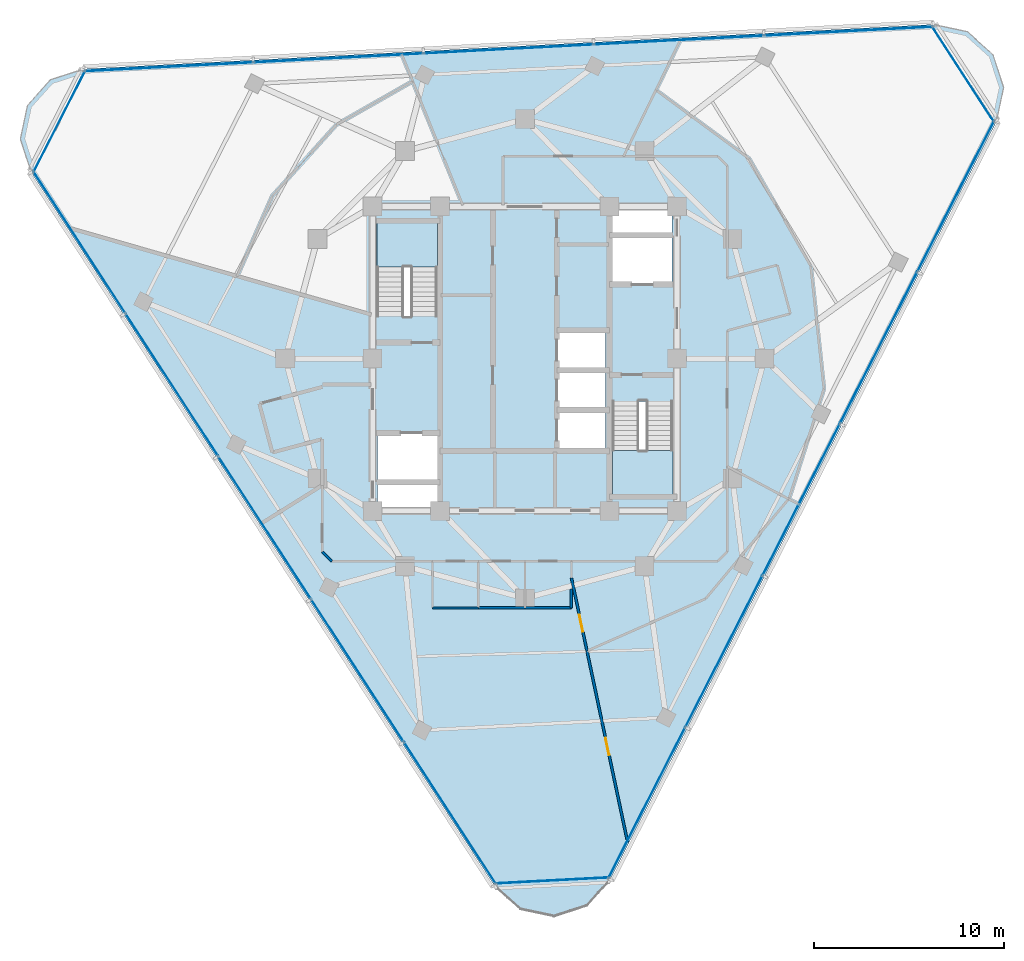
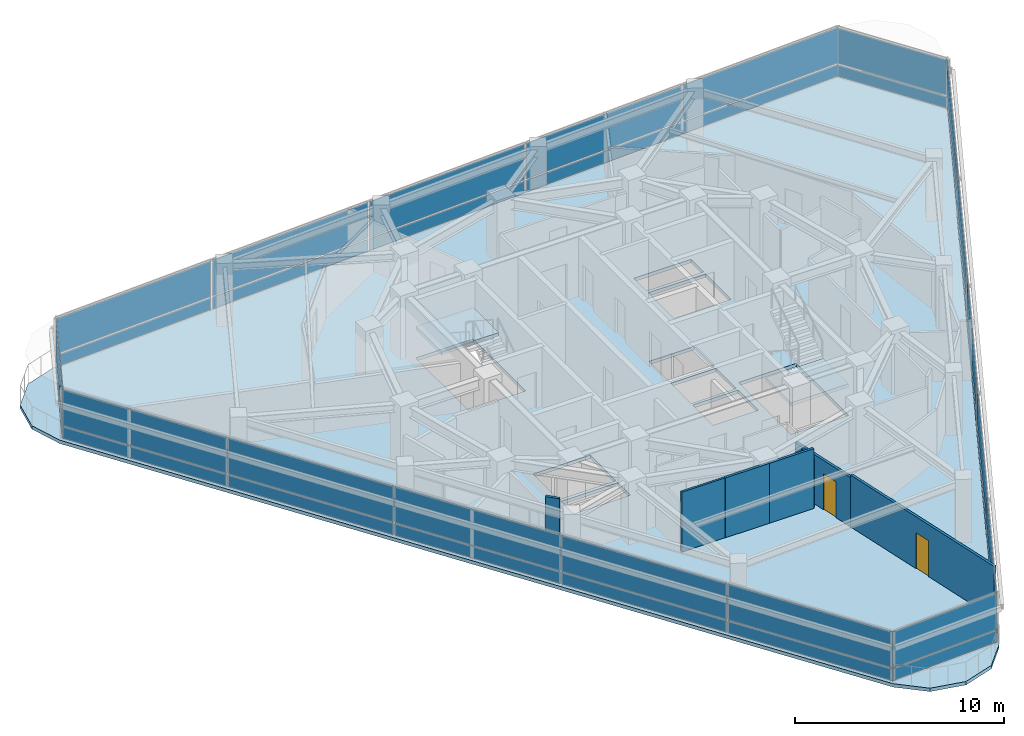
# One storey, part 7 of 15: 36 plates, 7 walls, 3 slabs, 2 doors, 2 openings, 8 elements without a shape of their own.
"""IFC4 building model written with IfcOpenShell, lengths in metres."""

from ifc_helpers import new_model, si_unit, direction, frame, frame_2d, origin, origin_2d, place, context, subcontext, project, spatial, polyline, rectangle, outline, extrude, material, layer, layer_set, type_object, element, fill, aggregate, save


model = new_model("IFC4")

# Units and contexts
model_context = context("Model", 3, precision=1e-05, world=origin(), true_north=direction((0.0, 1.0)))
body_context = subcontext(model_context, "Body", "Model", "MODEL_VIEW")
ifc_project = project(units=[si_unit("LENGTHUNIT", "METRE"), si_unit("AREAUNIT", "SQUARE_METRE"), si_unit("VOLUMEUNIT", "CUBIC_METRE"), si_unit("PLANEANGLEUNIT", "RADIAN"), si_unit("MASSUNIT", "GRAM", prefix="KILO")], contexts=[model_context])

# Site, building, storey
site_placement = place(None, origin())
site = spatial("IfcSite", under=ifc_project, at=site_placement, CompositionType="ELEMENT")
building_placement = place(site_placement, origin())
building = spatial("IfcBuilding", under=site, at=building_placement, Name="Terralouvre Media Tower", CompositionType="ELEMENT")
storey_placement = place(building_placement, frame((0.0, 0.0, 263.300048828125)))
storey = spatial("IfcBuildingStorey", under=building, at=storey_placement, Name="L68", CompositionType="ELEMENT", Elevation=263.300048828125)

# Slab
ifc_material_1 = material(Name="Concrete C40/50", Category="concrete")
ifc_layer_1 = layer(ifc_material_1, 0.199951171875, Name="Composite Tower Floor Slab S-TYP200")
ifc_layer_set_1 = layer_set([ifc_layer_1], Name="Concrete C40/50")
slab_type_1 = type_object("IfcSlabType", Name="Composite Tower Floor Slab S-TYP200", PredefinedType="FLOOR", material=ifc_layer_set_1)
slab_1_placement = place(storey_placement, frame((0.0, 0.0, -0.199951171875), z_axis=(0.0, 0.0, 1.0), x_axis=(0.45399049974, 0.891006524188, 0.0)))
element("IfcSlab", 1, at=slab_1_placement, inside=storey, type_object=slab_type_1, Name="L68 Structural Floor Slab", PredefinedType="FLOOR", context=body_context, shape_type="SweptSolid", body=[
    extrude(outline(polyline([(-25.43115234375, -11.1826171875), (-25.89990234375, -12.9326171875), (-25.43115234375, -14.6826171875), (-24.14990234375, -15.963623046875), (-22.39990234375, -16.4326171875), (22.39990234375, -16.4326171875), (24.14990234375, -15.963623046875), (25.43115234375, -14.6826171875), (25.89990234375, -12.9326171875), (25.43115234375, -11.1826171875), (3.031005859375, 27.615234375), (1.75, 28.896484375), (0.0, 29.365234375), (-1.75, 28.896484375), (-3.031005859375, 27.615234375), (-25.43115234375, -11.1826171875)]), holes=[polyline([(-7.968994140625, 1.102294921875), (-9.0380859375, 0.5576171875), (-10.46826171875, 3.3642578125), (-9.399169921875, 3.908935546875), (-7.968994140625, 1.102294921875)]), polyline([(-5.60791015625, 2.305419921875), (-7.790771484375, 1.193115234375), (-9.220947265625, 3.999755859375), (-7.037841796875, 5.112060546875), (-5.60791015625, 2.305419921875)]), polyline([(-4.38037109375, -7.39453125), (0.088134765625, -5.117919921875), (1.53173828125, -7.951171875), (-2.936767578125, -10.22802734375), (-4.38037109375, -7.39453125)]), polyline([(-0.547607421875, -5.048828125), (-2.276123046875, -5.9296875), (-3.4111328125, -3.7021484375), (-1.6826171875, -2.8212890625), (-0.547607421875, -5.048828125)]), polyline([(1.323486328125, -4.095458984375), (-0.405029296875, -4.976318359375), (-1.5400390625, -2.748779296875), (0.188720703125, -1.867919921875), (1.323486328125, -4.095458984375)]), polyline([(3.194580078125, -3.14208984375), (1.466064453125, -4.02294921875), (0.3310546875, -1.79541015625), (2.059814453125, -0.91455078125), (3.194580078125, -3.14208984375)]), polyline([(4.38037109375, 7.39453125), (-0.088134765625, 5.117919921875), (-1.53173828125, 7.951171875), (2.936767578125, 10.22802734375), (4.38037109375, 7.39453125)]), polyline([(7.037841796875, -5.112060546875), (5.60791015625, -2.305419921875), (7.790771484375, -1.193115234375), (9.220947265625, -3.999755859375), (7.037841796875, -5.112060546875)]), polyline([(9.399169921875, -3.908935546875), (7.968994140625, -1.102294921875), (9.0380859375, -0.5576171875), (10.46826171875, -3.3642578125), (9.399169921875, -3.908935546875)])]), origin(), (0.0, 0.0, 1.0), 0.199951171875),
])

# Stair, slab
ifc_material_2 = material(Name="Concrete C45/55", Category="concrete")
stair_type_1 = type_object("IfcStairType", Name="Dogleg Stair Assembly ST-01", PredefinedType="HALF_TURN_STAIR", material=ifc_material_2)
stair_1_placement = place(storey_placement, origin())
stair_1 = element("IfcStair", 2, at=stair_1_placement, inside=storey, type_object=stair_type_1, Name="L68 Core Pressurised Exit Stair ST-01", PredefinedType="HALF_TURN_STAIR")
ifc_material_3 = material(Name="Concrete C45/55", Category="concrete")
ifc_layer_2 = layer(ifc_material_3, 0.199951171875, Name="Reinforced Concrete Stair Half-Landing SL-LD1")
ifc_layer_set_2 = layer_set([ifc_layer_2], Name="Concrete C45/55")
slab_type_2 = type_object("IfcSlabType", Name="Reinforced Concrete Stair Half-Landing SL-LD1", PredefinedType="LANDING", material=ifc_layer_set_2)
slab_2_placement = place(storey_placement, frame((0.0, 0.0, 1.64990234375)))
slab_2 = element("IfcSlab", 3, at=slab_2_placement, type_object=slab_type_2, Name="ST-01 landing 1", PredefinedType="LANDING", context=body_context, shape_type="SweptSolid", body=[
    extrude(outline(polyline([(-4.60009765625, 4.820068359375), (-4.60009765625, 7.260009765625), (-7.780029296875, 7.260009765625), (-7.780029296875, 4.820068359375), (-4.60009765625, 4.820068359375)])), origin(), (0.0, 0.0, 1.0), 0.199951171875),
])
aggregate(stair_1, [slab_2])

ifc_material_4 = material(Name="Concrete C45/55", Category="concrete")
stair_type_2 = type_object("IfcStairType", Name="Dogleg Stair Assembly ST-02", PredefinedType="HALF_TURN_STAIR", material=ifc_material_4)
stair_2_placement = place(storey_placement, origin())
stair_2 = element("IfcStair", 4, at=stair_2_placement, inside=storey, type_object=stair_type_2, Name="L68 Core Pressurised Exit Stair ST-02", PredefinedType="HALF_TURN_STAIR")
slab_3_placement = place(storey_placement, frame((0.0, 0.0, 1.64990234375)))
slab_3 = element("IfcSlab", 5, at=slab_3_placement, type_object=slab_type_2, Name="ST-02 landing 1", PredefinedType="LANDING", context=body_context, shape_type="SweptSolid", body=[
    extrude(outline(polyline([(4.60009765625, -4.820068359375), (4.60009765625, -7.260009765625), (7.780029296875, -7.260009765625), (7.780029296875, -4.820068359375), (4.60009765625, -4.820068359375)])), origin(), (0.0, 0.0, 1.0), 0.199951171875),
])
aggregate(stair_2, [slab_3])

# Curtain wall, plates
ifc_material_5 = material(Name="Low-iron laminated double glazing with solar-control coating", Category="glass")
ifc_layer_3 = layer(ifc_material_5, 0.1650390625, Name="Rounded Wind-Corner Curved Glazing CW-04")
ifc_layer_set_3 = layer_set([ifc_layer_3], Name="Low-iron laminated double glazing with solar-control coating")
curtain_wall_type_1 = type_object("IfcCurtainWallType", Name="Rounded Wind-Corner Curved Glazing CW-04", PredefinedType="NOTDEFINED", material=ifc_layer_set_3)
curtain_wall_1_placement = place(storey_placement, origin())
curtain_wall_1 = element("IfcCurtainWall", 6, at=curtain_wall_1_placement, inside=storey, type_object=curtain_wall_type_1, Name="L68 Rounded Wind-Corner Curtain Wall C0", PredefinedType="NOTDEFINED")
ifc_material_6 = material(Name="Low-iron laminated double glazing with solar-control coating", Category="glass")
ifc_layer_4 = layer(ifc_material_6, 0.0400390625, Name="Rounded Corner Laminated Vision Panel CWP-03")
ifc_layer_set_4 = layer_set([ifc_layer_4], Name="Low-iron laminated double glazing with solar-control coating")
plate_type_1 = type_object("IfcPlateType", Name="Rounded Corner Laminated Vision Panel CWP-03", PredefinedType="CURTAIN_PANEL", material=ifc_layer_set_4)
plate_1_placement = place(storey_placement, frame((1.43798828125, -27.437744140625, 0.074951171875), z_axis=(0.0, 0.0, 1.0), x_axis=(0.998629533744, 0.05233597552, 0.0)))
plate_1 = element("IfcPlate", 7, at=plate_1_placement, type_object=plate_type_1, Name="CW-04 panel 1.1", PredefinedType="CURTAIN_PANEL", context=body_context, shape_type="SweptSolid", body=[
    extrude(rectangle(XDim=5.912109375, YDim=0.035888671875, at=origin_2d()), origin(), (0.0, 0.0, 1.0), 0.6875),
])
plate_2_placement = place(storey_placement, frame((1.43798828125, -27.437744140625, 0.83740234375), z_axis=(0.0, 0.0, 1.0), x_axis=(0.998629533744, 0.05233597552, 0.0)))
plate_2 = element("IfcPlate", 8, at=plate_2_placement, type_object=plate_type_1, Name="CW-04 panel 1.2", PredefinedType="CURTAIN_PANEL", context=body_context, shape_type="SweptSolid", body=[
    extrude(rectangle(XDim=5.912109375, YDim=0.035888671875, at=origin_2d()), origin(), (0.0, 0.0, 1.0), 2.08740234375),
])
aggregate(curtain_wall_1, [plate_1, plate_2])

curtain_wall_2_placement = place(storey_placement, origin())
curtain_wall_2 = element("IfcCurtainWall", 9, at=curtain_wall_2_placement, inside=storey, type_object=curtain_wall_type_1, Name="L68 Rounded Wind-Corner Curtain Wall C1", PredefinedType="NOTDEFINED")
plate_3_placement = place(storey_placement, frame((23.042724609375, 14.964111328125, 0.074951171875), z_axis=(0.0, 0.0, 1.0), x_axis=(-0.544639197097, 0.838670462688, 0.0)))
plate_3 = element("IfcPlate", 10, at=plate_3_placement, type_object=plate_type_1, Name="CW-04 panel 1.1", PredefinedType="CURTAIN_PANEL", context=body_context, shape_type="SweptSolid", body=[
    extrude(rectangle(XDim=5.912109375, YDim=0.035888671875, at=origin_2d()), origin(), (0.0, 0.0, 1.0), 0.6875),
])
plate_4_placement = place(storey_placement, frame((23.042724609375, 14.964111328125, 0.83740234375), z_axis=(0.0, 0.0, 1.0), x_axis=(-0.544639197097, 0.838670462688, 0.0)))
plate_4 = element("IfcPlate", 11, at=plate_4_placement, type_object=plate_type_1, Name="CW-04 panel 1.2", PredefinedType="CURTAIN_PANEL", context=body_context, shape_type="SweptSolid", body=[
    extrude(rectangle(XDim=5.912109375, YDim=0.035888671875, at=origin_2d()), origin(), (0.0, 0.0, 1.0), 2.08740234375),
])
aggregate(curtain_wall_2, [plate_3, plate_4])

curtain_wall_3_placement = place(storey_placement, origin())
curtain_wall_3 = element("IfcCurtainWall", 12, at=curtain_wall_3_placement, inside=storey, type_object=curtain_wall_type_1, Name="L68 Rounded Wind-Corner Curtain Wall C2", PredefinedType="NOTDEFINED")
plate_5_placement = place(storey_placement, frame((-24.480712890625, 12.4736328125, 0.074951171875), z_axis=(0.0, 0.0, 1.0), x_axis=(-0.453990349937, -0.891006600517, 0.0)))
plate_5 = element("IfcPlate", 13, at=plate_5_placement, type_object=plate_type_1, Name="CW-04 panel 1.1", PredefinedType="CURTAIN_PANEL", context=body_context, shape_type="SweptSolid", body=[
    extrude(rectangle(XDim=5.912109375, YDim=0.035888671875, at=origin_2d()), origin(), (0.0, 0.0, 1.0), 0.6875),
])
plate_6_placement = place(storey_placement, frame((-24.480712890625, 12.4736328125, 0.83740234375), z_axis=(0.0, 0.0, 1.0), x_axis=(-0.453990349937, -0.891006600517, 0.0)))
plate_6 = element("IfcPlate", 14, at=plate_6_placement, type_object=plate_type_1, Name="CW-04 panel 1.2", PredefinedType="CURTAIN_PANEL", context=body_context, shape_type="SweptSolid", body=[
    extrude(rectangle(XDim=5.912109375, YDim=0.035888671875, at=origin_2d()), origin(), (0.0, 0.0, 1.0), 2.08740234375),
])
aggregate(curtain_wall_3, [plate_5, plate_6])

ifc_material_7 = material(Name="Low-iron laminated double glazing with solar-control coating", Category="glass")
ifc_layer_5 = layer(ifc_material_7, 0.1650390625, Name="Upper Executive Tower Curtain Wall CW-05")
ifc_layer_set_5 = layer_set([ifc_layer_5], Name="Low-iron laminated double glazing with solar-control coating")
curtain_wall_type_2 = type_object("IfcCurtainWallType", Name="Upper Executive Tower Curtain Wall CW-05", PredefinedType="NOTDEFINED", material=ifc_layer_set_5)
curtain_wall_4_placement = place(storey_placement, origin())
curtain_wall_4 = element("IfcCurtainWall", 15, at=curtain_wall_4_placement, inside=storey, type_object=curtain_wall_type_2, Name="L68 Facade Curtain Wall F0", PredefinedType="NOTDEFINED")
ifc_material_8 = material(Name="Low-iron laminated double glazing with solar-control coating", Category="glass")
ifc_layer_6 = layer(ifc_material_8, 0.035888671875, Name="Vision Double-Glazed Unit CWP-01")
ifc_layer_set_6 = layer_set([ifc_layer_6], Name="Low-iron laminated double glazing with solar-control coating")
plate_type_2 = type_object("IfcPlateType", Name="Vision Double-Glazed Unit CWP-01", PredefinedType="CURTAIN_PANEL", material=ifc_layer_set_6)
plate_7_placement = place(storey_placement, frame((6.40771484375, -23.35595703125, 0.074951171875), z_axis=(0.0, 0.0, 1.0), x_axis=(0.45399044259, 0.891006553308, 0.0)))
plate_7 = element("IfcPlate", 16, at=plate_7_placement, type_object=plate_type_2, Name="CW-05 panel 1.1", PredefinedType="CURTAIN_PANEL", context=body_context, shape_type="SweptSolid", body=[
    extrude(rectangle(XDim=8.847412109375, YDim=0.035888671875, at=origin_2d()), origin(), (0.0, 0.0, 1.0), 0.6875),
])
plate_8_placement = place(storey_placement, frame((6.40771484375, -23.35595703125, 0.83740234375), z_axis=(0.0, 0.0, 1.0), x_axis=(0.45399044259, 0.891006553308, 0.0)))
plate_8 = element("IfcPlate", 17, at=plate_8_placement, type_object=plate_type_2, Name="CW-05 panel 1.2", PredefinedType="CURTAIN_PANEL", context=body_context, shape_type="SweptSolid", body=[
    extrude(rectangle(XDim=8.847412109375, YDim=0.035888671875, at=origin_2d()), origin(), (0.0, 0.0, 1.0), 2.08740234375),
])
plate_9_placement = place(storey_placement, frame((10.467041015625, -15.38916015625, 0.074951171875), z_axis=(0.0, 0.0, 1.0), x_axis=(0.45399044259, 0.891006553308, 0.0)))
plate_9 = element("IfcPlate", 18, at=plate_9_placement, type_object=plate_type_2, Name="CW-05 panel 2.1", PredefinedType="CURTAIN_PANEL", context=body_context, shape_type="SweptSolid", body=[
    extrude(rectangle(XDim=8.885009765625, YDim=0.035888671875, at=origin_2d()), origin(), (0.0, 0.0, 1.0), 0.6875),
])
plate_10_placement = place(storey_placement, frame((10.467041015625, -15.38916015625, 0.83740234375), z_axis=(0.0, 0.0, 1.0), x_axis=(0.45399044259, 0.891006553308, 0.0)))
plate_10 = element("IfcPlate", 19, at=plate_10_placement, type_object=plate_type_2, Name="CW-05 panel 2.2", PredefinedType="CURTAIN_PANEL", context=body_context, shape_type="SweptSolid", body=[
    extrude(rectangle(XDim=8.885009765625, YDim=0.035888671875, at=origin_2d()), origin(), (0.0, 0.0, 1.0), 2.08740234375),
])
plate_11_placement = place(storey_placement, frame((14.53466796875, -7.40576171875, 0.074951171875), z_axis=(0.0, 0.0, 1.0), x_axis=(0.45399044259, 0.891006553308, 0.0)))
plate_11 = element("IfcPlate", 20, at=plate_11_placement, type_object=plate_type_2, Name="CW-05 panel 3.1", PredefinedType="CURTAIN_PANEL", context=body_context, shape_type="SweptSolid", body=[
    extrude(rectangle(XDim=8.885009765625, YDim=0.035888671875, at=origin_2d()), origin(), (0.0, 0.0, 1.0), 0.6875),
])
plate_12_placement = place(storey_placement, frame((14.53466796875, -7.40576171875, 0.83740234375), z_axis=(0.0, 0.0, 1.0), x_axis=(0.45399044259, 0.891006553308, 0.0)))
plate_12 = element("IfcPlate", 21, at=plate_12_placement, type_object=plate_type_2, Name="CW-05 panel 3.2", PredefinedType="CURTAIN_PANEL", context=body_context, shape_type="SweptSolid", body=[
    extrude(rectangle(XDim=8.885009765625, YDim=0.035888671875, at=origin_2d()), origin(), (0.0, 0.0, 1.0), 2.08740234375),
])
plate_13_placement = place(storey_placement, frame((18.6025390625, 0.57763671875, 0.074951171875), z_axis=(0.0, 0.0, 1.0), x_axis=(0.45399044259, 0.891006553308, 0.0)))
plate_13 = element("IfcPlate", 22, at=plate_13_placement, type_object=plate_type_2, Name="CW-05 panel 4.1", PredefinedType="CURTAIN_PANEL", context=body_context, shape_type="SweptSolid", body=[
    extrude(rectangle(XDim=8.885009765625, YDim=0.035888671875, at=origin_2d()), origin(), (0.0, 0.0, 1.0), 0.6875),
])
plate_14_placement = place(storey_placement, frame((18.6025390625, 0.57763671875, 0.83740234375), z_axis=(0.0, 0.0, 1.0), x_axis=(0.45399044259, 0.891006553308, 0.0)))
plate_14 = element("IfcPlate", 23, at=plate_14_placement, type_object=plate_type_2, Name="CW-05 panel 4.2", PredefinedType="CURTAIN_PANEL", context=body_context, shape_type="SweptSolid", body=[
    extrude(rectangle(XDim=8.885009765625, YDim=0.035888671875, at=origin_2d()), origin(), (0.0, 0.0, 1.0), 2.08740234375),
])
plate_15_placement = place(storey_placement, frame((22.66162109375, 8.54443359375, 0.074951171875), z_axis=(0.0, 0.0, 1.0), x_axis=(0.45399044259, 0.891006553308, 0.0)))
plate_15 = element("IfcPlate", 24, at=plate_15_placement, type_object=plate_type_2, Name="CW-05 panel 5.1", PredefinedType="CURTAIN_PANEL", context=body_context, shape_type="SweptSolid", body=[
    extrude(rectangle(XDim=8.847412109375, YDim=0.035888671875, at=origin_2d()), origin(), (0.0, 0.0, 1.0), 0.6875),
])
plate_16_placement = place(storey_placement, frame((22.66162109375, 8.54443359375, 0.83740234375), z_axis=(0.0, 0.0, 1.0), x_axis=(0.45399044259, 0.891006553308, 0.0)))
plate_16 = element("IfcPlate", 25, at=plate_16_placement, type_object=plate_type_2, Name="CW-05 panel 5.2", PredefinedType="CURTAIN_PANEL", context=body_context, shape_type="SweptSolid", body=[
    extrude(rectangle(XDim=8.847412109375, YDim=0.035888671875, at=origin_2d()), origin(), (0.0, 0.0, 1.0), 2.08740234375),
])
aggregate(curtain_wall_4, [plate_7, plate_8, plate_9, plate_10, plate_11, plate_12, plate_13, plate_14, plate_15, plate_16])

curtain_wall_5_placement = place(storey_placement, origin())
curtain_wall_5 = element("IfcCurtainWall", 26, at=curtain_wall_5_placement, inside=storey, type_object=curtain_wall_type_2, Name="L68 Facade Curtain Wall F1", PredefinedType="NOTDEFINED")
plate_17_placement = place(storey_placement, frame((17.02294921875, 17.22705078125, 0.074951171875), z_axis=(0.0, 0.0, 1.0), x_axis=(-0.998629523875, -0.052336163844, 0.0)))
plate_17 = element("IfcPlate", 27, at=plate_17_placement, type_object=plate_type_2, Name="CW-05 panel 1.1", PredefinedType="CURTAIN_PANEL", context=body_context, shape_type="SweptSolid", body=[
    extrude(rectangle(XDim=8.847412109375, YDim=0.035888671875, at=origin_2d()), origin(), (0.0, 0.0, 1.0), 0.6875),
])
plate_18_placement = place(storey_placement, frame((17.02294921875, 17.22705078125, 0.83740234375), z_axis=(0.0, 0.0, 1.0), x_axis=(-0.998629523875, -0.052336163844, 0.0)))
plate_18 = element("IfcPlate", 28, at=plate_18_placement, type_object=plate_type_2, Name="CW-05 panel 1.2", PredefinedType="CURTAIN_PANEL", context=body_context, shape_type="SweptSolid", body=[
    extrude(rectangle(XDim=8.847412109375, YDim=0.035888671875, at=origin_2d()), origin(), (0.0, 0.0, 1.0), 2.08740234375),
])
plate_19_placement = place(storey_placement, frame((8.093994140625, 16.75927734375, 0.074951171875), z_axis=(0.0, 0.0, 1.0), x_axis=(-0.998629523875, -0.052336163844, 0.0)))
plate_19 = element("IfcPlate", 29, at=plate_19_placement, type_object=plate_type_2, Name="CW-05 panel 2.1", PredefinedType="CURTAIN_PANEL", context=body_context, shape_type="SweptSolid", body=[
    extrude(rectangle(XDim=8.885009765625, YDim=0.035888671875, at=origin_2d()), origin(), (0.0, 0.0, 1.0), 0.6875),
])
plate_20_placement = place(storey_placement, frame((8.093994140625, 16.75927734375, 0.83740234375), z_axis=(0.0, 0.0, 1.0), x_axis=(-0.998629523875, -0.052336163844, 0.0)))
plate_20 = element("IfcPlate", 30, at=plate_20_placement, type_object=plate_type_2, Name="CW-05 panel 2.2", PredefinedType="CURTAIN_PANEL", context=body_context, shape_type="SweptSolid", body=[
    extrude(rectangle(XDim=8.885009765625, YDim=0.035888671875, at=origin_2d()), origin(), (0.0, 0.0, 1.0), 2.08740234375),
])
plate_21_placement = place(storey_placement, frame((-0.853759765625, 16.290283203125, 0.074951171875), z_axis=(0.0, 0.0, 1.0), x_axis=(-0.998629523875, -0.052336163844, 0.0)))
plate_21 = element("IfcPlate", 31, at=plate_21_placement, type_object=plate_type_2, Name="CW-05 panel 3.1", PredefinedType="CURTAIN_PANEL", context=body_context, shape_type="SweptSolid", body=[
    extrude(rectangle(XDim=8.885009765625, YDim=0.035888671875, at=origin_2d()), origin(), (0.0, 0.0, 1.0), 0.6875),
])
plate_22_placement = place(storey_placement, frame((-0.853759765625, 16.290283203125, 0.83740234375), z_axis=(0.0, 0.0, 1.0), x_axis=(-0.998629523875, -0.052336163844, 0.0)))
plate_22 = element("IfcPlate", 32, at=plate_22_placement, type_object=plate_type_2, Name="CW-05 panel 3.2", PredefinedType="CURTAIN_PANEL", context=body_context, shape_type="SweptSolid", body=[
    extrude(rectangle(XDim=8.885009765625, YDim=0.035888671875, at=origin_2d()), origin(), (0.0, 0.0, 1.0), 2.08740234375),
])
plate_23_placement = place(storey_placement, frame((-9.801513671875, 15.8212890625, 0.074951171875), z_axis=(0.0, 0.0, 1.0), x_axis=(-0.998629523875, -0.052336163844, 0.0)))
plate_23 = element("IfcPlate", 33, at=plate_23_placement, type_object=plate_type_2, Name="CW-05 panel 4.1", PredefinedType="CURTAIN_PANEL", context=body_context, shape_type="SweptSolid", body=[
    extrude(rectangle(XDim=8.885009765625, YDim=0.035888671875, at=origin_2d()), origin(), (0.0, 0.0, 1.0), 0.6875),
])
plate_24_placement = place(storey_placement, frame((-9.801513671875, 15.8212890625, 0.83740234375), z_axis=(0.0, 0.0, 1.0), x_axis=(-0.998629523875, -0.052336163844, 0.0)))
plate_24 = element("IfcPlate", 34, at=plate_24_placement, type_object=plate_type_2, Name="CW-05 panel 4.2", PredefinedType="CURTAIN_PANEL", context=body_context, shape_type="SweptSolid", body=[
    extrude(rectangle(XDim=8.885009765625, YDim=0.035888671875, at=origin_2d()), origin(), (0.0, 0.0, 1.0), 2.08740234375),
])
plate_25_placement = place(storey_placement, frame((-18.73046875, 15.353515625, 0.074951171875), z_axis=(0.0, 0.0, 1.0), x_axis=(-0.998629523875, -0.052336163844, 0.0)))
plate_25 = element("IfcPlate", 35, at=plate_25_placement, type_object=plate_type_2, Name="CW-05 panel 5.1", PredefinedType="CURTAIN_PANEL", context=body_context, shape_type="SweptSolid", body=[
    extrude(rectangle(XDim=8.847412109375, YDim=0.035888671875, at=origin_2d()), origin(), (0.0, 0.0, 1.0), 0.6875),
])
plate_26_placement = place(storey_placement, frame((-18.73046875, 15.353515625, 0.83740234375), z_axis=(0.0, 0.0, 1.0), x_axis=(-0.998629523875, -0.052336163844, 0.0)))
plate_26 = element("IfcPlate", 36, at=plate_26_placement, type_object=plate_type_2, Name="CW-05 panel 5.2", PredefinedType="CURTAIN_PANEL", context=body_context, shape_type="SweptSolid", body=[
    extrude(rectangle(XDim=8.847412109375, YDim=0.035888671875, at=origin_2d()), origin(), (0.0, 0.0, 1.0), 2.08740234375),
])
aggregate(curtain_wall_5, [plate_17, plate_18, plate_19, plate_20, plate_21, plate_22, plate_23, plate_24, plate_25, plate_26])

curtain_wall_6_placement = place(storey_placement, origin())
curtain_wall_6 = element("IfcCurtainWall", 37, at=curtain_wall_6_placement, inside=storey, type_object=curtain_wall_type_2, Name="L68 Facade Curtain Wall F2", PredefinedType="NOTDEFINED")
plate_27_placement = place(storey_placement, frame((-23.4306640625, 6.128662109375, 0.074951171875), z_axis=(0.0, 0.0, 1.0), x_axis=(0.544639069077, -0.838670545826, 0.0)))
plate_27 = element("IfcPlate", 38, at=plate_27_placement, type_object=plate_type_2, Name="CW-05 panel 1.1", PredefinedType="CURTAIN_PANEL", context=body_context, shape_type="SweptSolid", body=[
    extrude(rectangle(XDim=8.847412109375, YDim=0.035888671875, at=origin_2d()), origin(), (0.0, 0.0, 1.0), 0.6875),
])
plate_28_placement = place(storey_placement, frame((-23.4306640625, 6.128662109375, 0.83740234375), z_axis=(0.0, 0.0, 1.0), x_axis=(0.544639069077, -0.838670545826, 0.0)))
plate_28 = element("IfcPlate", 39, at=plate_28_placement, type_object=plate_type_2, Name="CW-05 panel 1.2", PredefinedType="CURTAIN_PANEL", context=body_context, shape_type="SweptSolid", body=[
    extrude(rectangle(XDim=8.847412109375, YDim=0.035888671875, at=origin_2d()), origin(), (0.0, 0.0, 1.0), 2.08740234375),
])
plate_29_placement = place(storey_placement, frame((-18.560791015625, -1.3701171875, 0.074951171875), z_axis=(0.0, 0.0, 1.0), x_axis=(0.544639069077, -0.838670545826, 0.0)))
plate_29 = element("IfcPlate", 40, at=plate_29_placement, type_object=plate_type_2, Name="CW-05 panel 2.1", PredefinedType="CURTAIN_PANEL", context=body_context, shape_type="SweptSolid", body=[
    extrude(rectangle(XDim=8.885009765625, YDim=0.035888671875, at=origin_2d()), origin(), (0.0, 0.0, 1.0), 0.6875),
])
plate_30_placement = place(storey_placement, frame((-18.560791015625, -1.3701171875, 0.83740234375), z_axis=(0.0, 0.0, 1.0), x_axis=(0.544639069077, -0.838670545826, 0.0)))
plate_30 = element("IfcPlate", 41, at=plate_30_placement, type_object=plate_type_2, Name="CW-05 panel 2.2", PredefinedType="CURTAIN_PANEL", context=body_context, shape_type="SweptSolid", body=[
    extrude(rectangle(XDim=8.885009765625, YDim=0.035888671875, at=origin_2d()), origin(), (0.0, 0.0, 1.0), 2.08740234375),
])
plate_31_placement = place(storey_placement, frame((-13.680908203125, -8.884521484375, 0.074951171875), z_axis=(0.0, 0.0, 1.0), x_axis=(0.544639069077, -0.838670545826, 0.0)))
plate_31 = element("IfcPlate", 42, at=plate_31_placement, type_object=plate_type_2, Name="CW-05 panel 3.1", PredefinedType="CURTAIN_PANEL", context=body_context, shape_type="SweptSolid", body=[
    extrude(rectangle(XDim=8.885009765625, YDim=0.035888671875, at=origin_2d()), origin(), (0.0, 0.0, 1.0), 0.6875),
])
plate_32_placement = place(storey_placement, frame((-13.680908203125, -8.884521484375, 0.83740234375), z_axis=(0.0, 0.0, 1.0), x_axis=(0.544639069077, -0.838670545826, 0.0)))
plate_32 = element("IfcPlate", 43, at=plate_32_placement, type_object=plate_type_2, Name="CW-05 panel 3.2", PredefinedType="CURTAIN_PANEL", context=body_context, shape_type="SweptSolid", body=[
    extrude(rectangle(XDim=8.885009765625, YDim=0.035888671875, at=origin_2d()), origin(), (0.0, 0.0, 1.0), 2.08740234375),
])
plate_33_placement = place(storey_placement, frame((-8.801025390625, -16.39892578125, 0.074951171875), z_axis=(0.0, 0.0, 1.0), x_axis=(0.544639069077, -0.838670545826, 0.0)))
plate_33 = element("IfcPlate", 44, at=plate_33_placement, type_object=plate_type_2, Name="CW-05 panel 4.1", PredefinedType="CURTAIN_PANEL", context=body_context, shape_type="SweptSolid", body=[
    extrude(rectangle(XDim=8.885009765625, YDim=0.035888671875, at=origin_2d()), origin(), (0.0, 0.0, 1.0), 0.6875),
])
plate_34_placement = place(storey_placement, frame((-8.801025390625, -16.39892578125, 0.83740234375), z_axis=(0.0, 0.0, 1.0), x_axis=(0.544639069077, -0.838670545826, 0.0)))
plate_34 = element("IfcPlate", 45, at=plate_34_placement, type_object=plate_type_2, Name="CW-05 panel 4.2", PredefinedType="CURTAIN_PANEL", context=body_context, shape_type="SweptSolid", body=[
    extrude(rectangle(XDim=8.885009765625, YDim=0.035888671875, at=origin_2d()), origin(), (0.0, 0.0, 1.0), 2.08740234375),
])
plate_35_placement = place(storey_placement, frame((-3.93115234375, -23.897705078125, 0.074951171875), z_axis=(0.0, 0.0, 1.0), x_axis=(0.544639069077, -0.838670545826, 0.0)))
plate_35 = element("IfcPlate", 46, at=plate_35_placement, type_object=plate_type_2, Name="CW-05 panel 5.1", PredefinedType="CURTAIN_PANEL", context=body_context, shape_type="SweptSolid", body=[
    extrude(rectangle(XDim=8.847412109375, YDim=0.035888671875, at=origin_2d()), origin(), (0.0, 0.0, 1.0), 0.6875),
])
plate_36_placement = place(storey_placement, frame((-3.93115234375, -23.897705078125, 0.83740234375), z_axis=(0.0, 0.0, 1.0), x_axis=(0.544639069077, -0.838670545826, 0.0)))
plate_36 = element("IfcPlate", 47, at=plate_36_placement, type_object=plate_type_2, Name="CW-05 panel 5.2", PredefinedType="CURTAIN_PANEL", context=body_context, shape_type="SweptSolid", body=[
    extrude(rectangle(XDim=8.847412109375, YDim=0.035888671875, at=origin_2d()), origin(), (0.0, 0.0, 1.0), 2.08740234375),
])
aggregate(curtain_wall_6, [plate_27, plate_28, plate_29, plate_30, plate_31, plate_32, plate_33, plate_34, plate_35, plate_36])

# Walls
ifc_material_9 = material(Name="Fire-rated gypsum board drywall partition")
ifc_layer_7 = layer(ifc_material_9, 0.135009765625, Name="Newsroom Acoustic Partition PT-135")
ifc_layer_set_7 = layer_set([ifc_layer_7], Name="Fire-rated gypsum board drywall partition")
wall_type_1 = type_object("IfcWallType", Name="Newsroom Acoustic Partition PT-135", PredefinedType="PARTITIONING", material=ifc_layer_set_7)
wall_1_placement = place(storey_placement, frame((-10.64990234375, -10.14990234375, 0.0), z_axis=(0.0, 0.0, 1.0), x_axis=(0.707106781187, -0.707106781187, 0.0)))
element("IfcWall", 48, at=wall_1_placement, inside=storey, type_object=wall_type_1, Name="L68 Interior Partition 015", PredefinedType="PARTITIONING", context=body_context, shape_type="SweptSolid", body=[
    extrude(rectangle(XDim=0.70703125, YDim=0.135009765625, at=frame_2d((0.353515625, 0.0))), origin(), (0.0, 0.0, 1.0), 3.5),
])
wall_2_placement = place(storey_placement, frame((0.0, -13.10009765625, 0.0), z_axis=(0.0, 0.0, 1.0), x_axis=(-1.0, 0.0, 0.0)))
element("IfcWall", 49, at=wall_2_placement, inside=storey, type_object=wall_type_1, Name="L68 Interior Partition 036", PredefinedType="PARTITIONING", context=body_context, shape_type="SweptSolid", body=[
    extrude(rectangle(XDim=2.449951171875, YDim=0.135009765625, at=frame_2d((1.22509765625, 0.0))), origin(), (0.0, 0.0, 1.0), 3.5),
])
wall_3_placement = place(storey_placement, frame((2.449951171875, -12.103271484375, 0.0), z_axis=(0.0, 0.0, 1.0), x_axis=(0.0, -1.0, 0.0)))
element("IfcWall", 50, at=wall_3_placement, inside=storey, type_object=wall_type_1, Name="L68 Interior Partition 037", PredefinedType="PARTITIONING", context=body_context, shape_type="SweptSolid", body=[
    extrude(rectangle(XDim=0.996826171875, YDim=0.135009765625, at=frame_2d((0.49853515625, 0.0))), origin(), (0.0, 0.0, 1.0), 2.885009765625),
])
wall_4_placement = place(storey_placement, frame((2.449951171875, -13.10009765625, 0.0), z_axis=(0.0, 0.0, 1.0), x_axis=(-1.0, 0.0, 0.0)))
element("IfcWall", 51, at=wall_4_placement, inside=storey, type_object=wall_type_1, Name="L68 Interior Partition 038", PredefinedType="PARTITIONING", context=body_context, shape_type="SweptSolid", body=[
    extrude(rectangle(XDim=2.449951171875, YDim=0.135009765625, at=frame_2d((1.22509765625, 0.0))), origin(), (0.0, 0.0, 1.0), 3.5),
])

# Wall, opening, door
wall_5_placement = place(storey_placement, frame((5.402099609375, -25.417236328125, 0.0), z_axis=(0.0, 0.0, 1.0), x_axis=(-0.207847958891, 0.978161145203, 0.0)))
wall_5 = element("IfcWall", 52, at=wall_5_placement, inside=storey, type_object=wall_type_1, Name="L68 Interior Partition 039", PredefinedType="PARTITIONING", context=body_context, shape_type="SweptSolid", body=[
    extrude(rectangle(XDim=10.276611328125, YDim=0.135009765625, at=frame_2d((5.13818359375, 0.0))), origin(), (0.0, 0.0, 1.0), 3.034912109375),
])
opening_1_placement = place(wall_5_placement, frame((4.678466796875, 0.0, 0.0)))
opening_1 = element("IfcOpeningElement", 53, at=opening_1_placement, cuts=wall_5, Name="Opening ID-03-92X210", PredefinedType="OPENING", context=body_context, shape_type="SweptSolid", body=[
    extrude(rectangle(XDim=0.919921875, YDim=2.10009765625, at=frame_2d((0.4599609375, 1.050048828125))), frame((0.0, 0.077392578125, 0.0), z_axis=(0.0, -1.0, 0.0), x_axis=(1.0, 0.0, 0.0)), (0.0, 0.0, 1.0), 0.155029296875),
])
ifc_material_10 = material(Name="Engineered hardwood acoustic timber leaf", Category="wood")
door_type = type_object("IfcDoorType", Name="Accessible Restroom and Suite Door ID-03 (920x2100)", OperationType="NOTDEFINED", PredefinedType="DOOR", material=ifc_material_10)
door_1_placement = place(opening_1_placement, origin())
door_1 = element("IfcDoor", 54, at=door_1_placement, inside=storey, type_object=door_type, Name="L68 Press Kit Closet 4 Door", OperationType="SINGLE_SWING_LEFT", OverallHeight=2.10009765625, OverallWidth=0.919921875, PredefinedType="DOOR", context=body_context, shape_type="SweptSolid", body=[
    extrude(rectangle(XDim=0.919921875, YDim=2.10009765625, at=frame_2d((0.4599609375, 1.050048828125))), frame((0.0, 0.02490234375, 0.0), z_axis=(0.0, -1.0, 0.0), x_axis=(1.0, 0.0, 0.0)), (0.0, 0.0, 1.0), 0.050048828125),
])
fill(opening_1, door_1)

wall_6_placement = place(storey_placement, frame((3.26611328125, -15.364990234375, 0.0), z_axis=(0.0, 0.0, 1.0), x_axis=(-0.207944308429, 0.978140667078, 0.0)))
wall_6 = element("IfcWall", 55, at=wall_6_placement, inside=storey, type_object=wall_type_1, Name="L68 Interior Partition 040", PredefinedType="PARTITIONING", context=body_context, shape_type="SweptSolid", body=[
    extrude(rectangle(XDim=3.9248046875, YDim=0.135009765625, at=frame_2d((1.96240234375, 0.0))), origin(), (0.0, 0.0, 1.0), 2.885009765625),
])
opening_2_placement = place(wall_6_placement, frame((1.031494140625, 0.0, 0.0)))
opening_2 = element("IfcOpeningElement", 56, at=opening_2_placement, cuts=wall_6, Name="Opening ID-03-92X210", PredefinedType="OPENING", context=body_context, shape_type="SweptSolid", body=[
    extrude(rectangle(XDim=0.919921875, YDim=2.10009765625, at=frame_2d((0.4599609375, 1.050048828125))), frame((0.0, 0.077392578125, 0.0), z_axis=(0.0, -1.0, 0.0), x_axis=(1.0, 0.0, 0.0)), (0.0, 0.0, 1.0), 0.155029296875),
])
door_2_placement = place(opening_2_placement, origin())
door_2 = element("IfcDoor", 57, at=door_2_placement, inside=storey, type_object=door_type, Name="L68 Live Wire Newsroom Open Office 5 Door", OperationType="SINGLE_SWING_RIGHT", OverallHeight=2.10009765625, OverallWidth=0.919921875, PredefinedType="DOOR", context=body_context, shape_type="SweptSolid", body=[
    extrude(rectangle(XDim=0.919921875, YDim=2.10009765625, at=frame_2d((0.4599609375, 1.050048828125))), frame((0.0, 0.02490234375, 0.0), z_axis=(0.0, -1.0, 0.0), x_axis=(1.0, 0.0, 0.0)), (0.0, 0.0, 1.0), 0.050048828125),
])
fill(opening_2, door_2)

# Wall
ifc_material_11 = material(Name="Fire-rated gypsum board drywall partition")
ifc_layer_8 = layer(ifc_material_11, 0.114990234375, Name="Restroom and Pantry Partition PT-115")
ifc_layer_set_8 = layer_set([ifc_layer_8], Name="Fire-rated gypsum board drywall partition")
wall_type_2 = type_object("IfcWallType", Name="Restroom and Pantry Partition PT-115", PredefinedType="PARTITIONING", material=ifc_layer_set_8)
wall_7_placement = place(storey_placement, frame((-4.85009765625, -13.10009765625, 0.0), z_axis=(0.0, 0.0, 1.0), x_axis=(1.0, 0.0, 0.0)))
element("IfcWall", 58, at=wall_7_placement, inside=storey, type_object=wall_type_2, Name="L68 Interior Partition 034", PredefinedType="PARTITIONING", context=body_context, shape_type="SweptSolid", body=[
    extrude(rectangle(XDim=2.400146484375, YDim=0.114990234375, at=frame_2d((1.2001953125, 0.0))), origin(), (0.0, 0.0, 1.0), 3.5),
])

save(model, "model.ifc")
